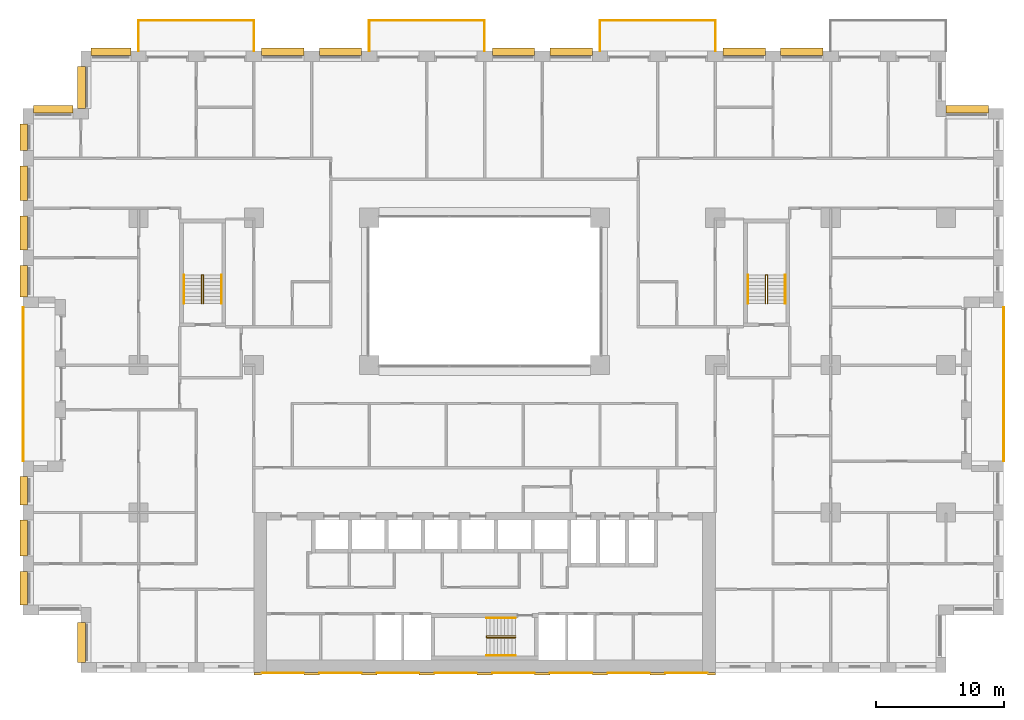
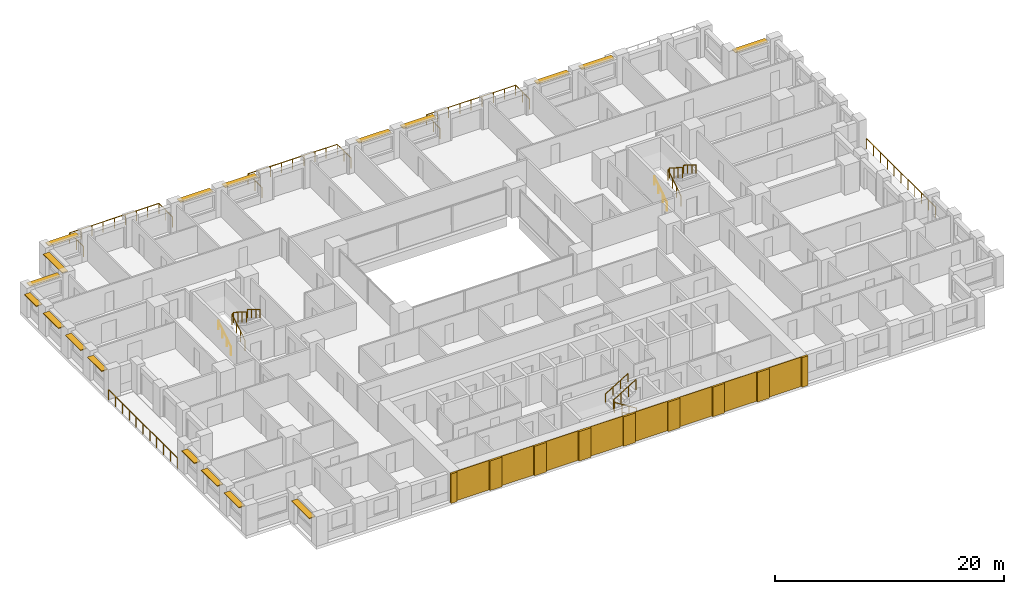
# One storey, part 18 of 19: 18 shading devices, 17 coverings, 14 railings.
"""IFC4 building model written with IfcOpenShell, lengths in metres."""

from ifc_helpers import new_model, si_unit, direction, frame, origin, origin_2d, place, context, subcontext, project, spatial, rectangle, circle, extrude, material, layer, layer_set, type_object, element, save


model = new_model("IFC4")

# Units and contexts
model_context = context("Model", 3, precision=1e-05, world=origin(), true_north=direction((0.0, 1.0)))
body_context = subcontext(model_context, "Body", "Model", "MODEL_VIEW")
ifc_project = project(units=[si_unit("LENGTHUNIT", "METRE"), si_unit("AREAUNIT", "SQUARE_METRE"), si_unit("VOLUMEUNIT", "CUBIC_METRE"), si_unit("PLANEANGLEUNIT", "RADIAN"), si_unit("MASSUNIT", "GRAM", prefix="KILO")], contexts=[model_context])

# Site, building, storey
site_placement = place(None, origin())
site = spatial("IfcSite", under=ifc_project, at=site_placement, CompositionType="ELEMENT")
building_placement = place(site_placement, origin())
building = spatial("IfcBuilding", under=site, at=building_placement, Name="Brigalow Station Residences", CompositionType="ELEMENT")
storey_placement = place(building_placement, frame((0.0, 0.0, 25.800048828125)))
storey = spatial("IfcBuildingStorey", under=building, at=storey_placement, Name="L06", CompositionType="ELEMENT", Elevation=25.800048828125)

# Railings
ifc_material_1 = material(Name="Stainless steel balustrade with laminated glass infill", Category="steel")
railing_type_1 = type_object("IfcRailingType", Name="BALCONY GUARD 1100", PredefinedType="GUARDRAIL", material=ifc_material_1)
railing_1_placement = place(storey_placement, frame((76.5, 16.5, -0.0400390625)))
element("IfcRailing", 1, at=railing_1_placement, inside=storey, type_object=railing_type_1, Name="L06/balcony-guard/1", PredefinedType="GUARDRAIL", context=body_context, shape_type="SweptSolid", body=[
    extrude(circle(Radius=0.02392578125, at=origin_2d()), frame((0.0, 0.0, 1.076171875), z_axis=(0.0, 1.0, 0.0), x_axis=(-1.0, 0.0, 0.0)), (0.0, 0.0, 1.0), 12.0),
    extrude(circle(Radius=0.02099609375, at=origin_2d()), origin(), (0.0, 0.0, 1.0), 1.052001953125),
    extrude(circle(Radius=0.02099609375, at=origin_2d()), frame((0.0, 1.199951171875, 0.0)), (0.0, 0.0, 1.0), 1.052001953125),
    extrude(circle(Radius=0.02099609375, at=origin_2d()), frame((0.0, 2.39990234375, 0.0)), (0.0, 0.0, 1.0), 1.052001953125),
    extrude(circle(Radius=0.02099609375, at=origin_2d()), frame((0.0, 3.60009765625, 0.0)), (0.0, 0.0, 1.0), 1.052001953125),
    extrude(circle(Radius=0.02099609375, at=origin_2d()), frame((0.0, 4.800048828125, 0.0)), (0.0, 0.0, 1.0), 1.052001953125),
    extrude(circle(Radius=0.02099609375, at=origin_2d()), frame((0.0, 6.0, 0.0)), (0.0, 0.0, 1.0), 1.052001953125),
    extrude(circle(Radius=0.02099609375, at=origin_2d()), frame((0.0, 7.199951171875, 0.0)), (0.0, 0.0, 1.0), 1.052001953125),
    extrude(circle(Radius=0.02099609375, at=origin_2d()), frame((0.0, 8.39990234375, 0.0)), (0.0, 0.0, 1.0), 1.052001953125),
    extrude(circle(Radius=0.02099609375, at=origin_2d()), frame((0.0, 9.60009765625, 0.0)), (0.0, 0.0, 1.0), 1.052001953125),
    extrude(circle(Radius=0.02099609375, at=origin_2d()), frame((0.0, 10.800048828125, 0.0)), (0.0, 0.0, 1.0), 1.052001953125),
    extrude(circle(Radius=0.02099609375, at=origin_2d()), frame((0.0, 12.0, 0.0)), (0.0, 0.0, 1.0), 1.052001953125),
])
railing_2_placement = place(storey_placement, frame((54.0, 48.5, -0.0400390625)))
element("IfcRailing", 2, at=railing_2_placement, inside=storey, type_object=railing_type_1, Name="L06/balcony-guard/3", PredefinedType="GUARDRAIL", context=body_context, shape_type="SweptSolid", body=[
    extrude(circle(Radius=0.02392578125, at=origin_2d()), frame((0.0, 0.0, 1.076171875), z_axis=(0.0, 1.0, 0.0), x_axis=(-1.0, 0.0, 0.0)), (0.0, 0.0, 1.0), 2.39990234375),
    extrude(circle(Radius=0.02392578125, at=origin_2d()), frame((0.0, 2.39990234375, 1.076171875), z_axis=(-1.0, 0.0, 0.0), x_axis=(0.0, -1.0, 0.0)), (0.0, 0.0, 1.0), 9.0),
    extrude(circle(Radius=0.02392578125, at=origin_2d()), frame((-9.0, 2.39990234375, 1.076171875), z_axis=(0.0, -1.0, 0.0), x_axis=(1.0, 0.0, 0.0)), (0.0, 0.0, 1.0), 2.39990234375),
    extrude(circle(Radius=0.02099609375, at=origin_2d()), origin(), (0.0, 0.0, 1.0), 1.052001953125),
    extrude(circle(Radius=0.02099609375, at=origin_2d()), frame((0.0, 1.199951171875, 0.0)), (0.0, 0.0, 1.0), 1.052001953125),
    extrude(circle(Radius=0.02099609375, at=origin_2d()), frame((0.0, 2.39990234375, 0.0)), (0.0, 0.0, 1.0), 1.052001953125),
    extrude(circle(Radius=0.02099609375, at=origin_2d()), frame((-1.125, 2.39990234375, 0.0)), (0.0, 0.0, 1.0), 1.052001953125),
    extrude(circle(Radius=0.02099609375, at=origin_2d()), frame((-2.25, 2.39990234375, 0.0)), (0.0, 0.0, 1.0), 1.052001953125),
    extrude(circle(Radius=0.02099609375, at=origin_2d()), frame((-3.375, 2.39990234375, 0.0)), (0.0, 0.0, 1.0), 1.052001953125),
    extrude(circle(Radius=0.02099609375, at=origin_2d()), frame((-4.5, 2.39990234375, 0.0)), (0.0, 0.0, 1.0), 1.052001953125),
    extrude(circle(Radius=0.02099609375, at=origin_2d()), frame((-5.625, 2.39990234375, 0.0)), (0.0, 0.0, 1.0), 1.052001953125),
    extrude(circle(Radius=0.02099609375, at=origin_2d()), frame((-6.75, 2.39990234375, 0.0)), (0.0, 0.0, 1.0), 1.052001953125),
    extrude(circle(Radius=0.02099609375, at=origin_2d()), frame((-7.875, 2.39990234375, 0.0)), (0.0, 0.0, 1.0), 1.052001953125),
    extrude(circle(Radius=0.02099609375, at=origin_2d()), frame((-9.0, 2.39990234375, 0.0)), (0.0, 0.0, 1.0), 1.052001953125),
    extrude(circle(Radius=0.02099609375, at=origin_2d()), frame((-9.0, 1.199951171875, 0.0)), (0.0, 0.0, 1.0), 1.052001953125),
    extrude(circle(Radius=0.02099609375, at=origin_2d()), frame((-9.0, 0.0, 0.0)), (0.0, 0.0, 1.0), 1.052001953125),
])
railing_3_placement = place(storey_placement, frame((36.0, 48.5, -0.0400390625)))
element("IfcRailing", 3, at=railing_3_placement, inside=storey, type_object=railing_type_1, Name="L06/balcony-guard/4", PredefinedType="GUARDRAIL", context=body_context, shape_type="SweptSolid", body=[
    extrude(circle(Radius=0.02392578125, at=origin_2d()), frame((0.0, 0.0, 1.076171875), z_axis=(0.0, 1.0, 0.0), x_axis=(-1.0, 0.0, 0.0)), (0.0, 0.0, 1.0), 2.39990234375),
    extrude(circle(Radius=0.02392578125, at=origin_2d()), frame((0.0, 2.39990234375, 1.076171875), z_axis=(-1.0, 0.0, 0.0), x_axis=(0.0, -1.0, 0.0)), (0.0, 0.0, 1.0), 9.0),
    extrude(circle(Radius=0.02392578125, at=origin_2d()), frame((-9.0, 2.39990234375, 1.076171875), z_axis=(0.0, -1.0, 0.0), x_axis=(1.0, 0.0, 0.0)), (0.0, 0.0, 1.0), 2.39990234375),
    extrude(circle(Radius=0.02099609375, at=origin_2d()), origin(), (0.0, 0.0, 1.0), 1.052001953125),
    extrude(circle(Radius=0.02099609375, at=origin_2d()), frame((0.0, 1.199951171875, 0.0)), (0.0, 0.0, 1.0), 1.052001953125),
    extrude(circle(Radius=0.02099609375, at=origin_2d()), frame((0.0, 2.39990234375, 0.0)), (0.0, 0.0, 1.0), 1.052001953125),
    extrude(circle(Radius=0.02099609375, at=origin_2d()), frame((-1.125, 2.39990234375, 0.0)), (0.0, 0.0, 1.0), 1.052001953125),
    extrude(circle(Radius=0.02099609375, at=origin_2d()), frame((-2.25, 2.39990234375, 0.0)), (0.0, 0.0, 1.0), 1.052001953125),
    extrude(circle(Radius=0.02099609375, at=origin_2d()), frame((-3.375, 2.39990234375, 0.0)), (0.0, 0.0, 1.0), 1.052001953125),
    extrude(circle(Radius=0.02099609375, at=origin_2d()), frame((-4.5, 2.39990234375, 0.0)), (0.0, 0.0, 1.0), 1.052001953125),
    extrude(circle(Radius=0.02099609375, at=origin_2d()), frame((-5.625, 2.39990234375, 0.0)), (0.0, 0.0, 1.0), 1.052001953125),
    extrude(circle(Radius=0.02099609375, at=origin_2d()), frame((-6.75, 2.39990234375, 0.0)), (0.0, 0.0, 1.0), 1.052001953125),
    extrude(circle(Radius=0.02099609375, at=origin_2d()), frame((-7.875, 2.39990234375, 0.0)), (0.0, 0.0, 1.0), 1.052001953125),
    extrude(circle(Radius=0.02099609375, at=origin_2d()), frame((-9.0, 2.39990234375, 0.0)), (0.0, 0.0, 1.0), 1.052001953125),
    extrude(circle(Radius=0.02099609375, at=origin_2d()), frame((-9.0, 1.199951171875, 0.0)), (0.0, 0.0, 1.0), 1.052001953125),
    extrude(circle(Radius=0.02099609375, at=origin_2d()), frame((-9.0, 0.0, 0.0)), (0.0, 0.0, 1.0), 1.052001953125),
])
railing_4_placement = place(storey_placement, frame((18.0, 48.5, -0.0400390625)))
element("IfcRailing", 4, at=railing_4_placement, inside=storey, type_object=railing_type_1, Name="L06/balcony-guard/5", PredefinedType="GUARDRAIL", context=body_context, shape_type="SweptSolid", body=[
    extrude(circle(Radius=0.02392578125, at=origin_2d()), frame((0.0, 0.0, 1.076171875), z_axis=(0.0, 1.0, 0.0), x_axis=(-1.0, 0.0, 0.0)), (0.0, 0.0, 1.0), 2.39990234375),
    extrude(circle(Radius=0.02392578125, at=origin_2d()), frame((0.0, 2.39990234375, 1.076171875), z_axis=(-1.0, 0.0, 0.0), x_axis=(0.0, -1.0, 0.0)), (0.0, 0.0, 1.0), 9.0),
    extrude(circle(Radius=0.02392578125, at=origin_2d()), frame((-9.0, 2.39990234375, 1.076171875), z_axis=(0.0, -1.0, 0.0), x_axis=(1.0, 0.0, 0.0)), (0.0, 0.0, 1.0), 2.39990234375),
    extrude(circle(Radius=0.02099609375, at=origin_2d()), origin(), (0.0, 0.0, 1.0), 1.052001953125),
    extrude(circle(Radius=0.02099609375, at=origin_2d()), frame((0.0, 1.199951171875, 0.0)), (0.0, 0.0, 1.0), 1.052001953125),
    extrude(circle(Radius=0.02099609375, at=origin_2d()), frame((0.0, 2.39990234375, 0.0)), (0.0, 0.0, 1.0), 1.052001953125),
    extrude(circle(Radius=0.02099609375, at=origin_2d()), frame((-1.125, 2.39990234375, 0.0)), (0.0, 0.0, 1.0), 1.052001953125),
    extrude(circle(Radius=0.02099609375, at=origin_2d()), frame((-2.25, 2.39990234375, 0.0)), (0.0, 0.0, 1.0), 1.052001953125),
    extrude(circle(Radius=0.02099609375, at=origin_2d()), frame((-3.375, 2.39990234375, 0.0)), (0.0, 0.0, 1.0), 1.052001953125),
    extrude(circle(Radius=0.02099609375, at=origin_2d()), frame((-4.5, 2.39990234375, 0.0)), (0.0, 0.0, 1.0), 1.052001953125),
    extrude(circle(Radius=0.02099609375, at=origin_2d()), frame((-5.625, 2.39990234375, 0.0)), (0.0, 0.0, 1.0), 1.052001953125),
    extrude(circle(Radius=0.02099609375, at=origin_2d()), frame((-6.75, 2.39990234375, 0.0)), (0.0, 0.0, 1.0), 1.052001953125),
    extrude(circle(Radius=0.02099609375, at=origin_2d()), frame((-7.875, 2.39990234375, 0.0)), (0.0, 0.0, 1.0), 1.052001953125),
    extrude(circle(Radius=0.02099609375, at=origin_2d()), frame((-9.0, 2.39990234375, 0.0)), (0.0, 0.0, 1.0), 1.052001953125),
    extrude(circle(Radius=0.02099609375, at=origin_2d()), frame((-9.0, 1.199951171875, 0.0)), (0.0, 0.0, 1.0), 1.052001953125),
    extrude(circle(Radius=0.02099609375, at=origin_2d()), frame((-9.0, 0.0, 0.0)), (0.0, 0.0, 1.0), 1.052001953125),
])
railing_5_placement = place(storey_placement, frame((0.0, 28.5, -0.0400390625)))
element("IfcRailing", 5, at=railing_5_placement, inside=storey, type_object=railing_type_1, Name="L06/balcony-guard/6", PredefinedType="GUARDRAIL", context=body_context, shape_type="SweptSolid", body=[
    extrude(circle(Radius=0.02392578125, at=origin_2d()), frame((0.0, 0.0, 1.076171875), z_axis=(0.0, -1.0, 0.0), x_axis=(1.0, 0.0, 0.0)), (0.0, 0.0, 1.0), 12.0),
    extrude(circle(Radius=0.02099609375, at=origin_2d()), origin(), (0.0, 0.0, 1.0), 1.052001953125),
    extrude(circle(Radius=0.02099609375, at=origin_2d()), frame((0.0, -1.199951171875, 0.0)), (0.0, 0.0, 1.0), 1.052001953125),
    extrude(circle(Radius=0.02099609375, at=origin_2d()), frame((0.0, -2.39990234375, 0.0)), (0.0, 0.0, 1.0), 1.052001953125),
    extrude(circle(Radius=0.02099609375, at=origin_2d()), frame((0.0, -3.60009765625, 0.0)), (0.0, 0.0, 1.0), 1.052001953125),
    extrude(circle(Radius=0.02099609375, at=origin_2d()), frame((0.0, -4.800048828125, 0.0)), (0.0, 0.0, 1.0), 1.052001953125),
    extrude(circle(Radius=0.02099609375, at=origin_2d()), frame((0.0, -6.0, 0.0)), (0.0, 0.0, 1.0), 1.052001953125),
    extrude(circle(Radius=0.02099609375, at=origin_2d()), frame((0.0, -7.199951171875, 0.0)), (0.0, 0.0, 1.0), 1.052001953125),
    extrude(circle(Radius=0.02099609375, at=origin_2d()), frame((0.0, -8.39990234375, 0.0)), (0.0, 0.0, 1.0), 1.052001953125),
    extrude(circle(Radius=0.02099609375, at=origin_2d()), frame((0.0, -9.60009765625, 0.0)), (0.0, 0.0, 1.0), 1.052001953125),
    extrude(circle(Radius=0.02099609375, at=origin_2d()), frame((0.0, -10.800048828125, 0.0)), (0.0, 0.0, 1.0), 1.052001953125),
    extrude(circle(Radius=0.02099609375, at=origin_2d()), frame((0.0, -12.0, 0.0)), (0.0, 0.0, 1.0), 1.052001953125),
])

# Coverings
ifc_material_2 = material(Name="Clay brick masonry", Category="masonry")
ifc_layer_1 = layer(ifc_material_2, 0.06005859375)
ifc_layer_set_1 = layer_set([ifc_layer_1], Name="BRICK PANEL FACING 60")
covering_type_1 = type_object("IfcCoveringType", Name="BRICK PANEL FACING 60", PredefinedType="CLADDING", material=ifc_layer_set_1)
for number, where, z_axis, x_axis, name in (
    (6, (20.25, -0.030029296875, 0.0), (0.0, 0.0, 1.0), (1.0, 0.0, 0.0), "L06/rear-facing/panel-1"),
    (7, (24.75, -0.030029296875, 0.0), (0.0, 0.0, 1.0), (1.0, 0.0, 0.0), "L06/rear-facing/panel-2"),
    (8, (29.25, -0.030029296875, 0.0), (0.0, 0.0, 1.0), (1.0, 0.0, 0.0), "L06/rear-facing/panel-3"),
    (9, (33.75, -0.030029296875, 0.0), (0.0, 0.0, 1.0), (1.0, 0.0, 0.0), "L06/rear-facing/panel-4"),
    (10, (38.25, -0.030029296875, 0.0), (0.0, 0.0, 1.0), (1.0, 0.0, 0.0), "L06/rear-facing/panel-5"),
    (11, (42.75, -0.030029296875, 0.0), (0.0, 0.0, 1.0), (1.0, 0.0, 0.0), "L06/rear-facing/panel-6"),
    (12, (47.25, -0.030029296875, 0.0), (0.0, 0.0, 1.0), (1.0, 0.0, 0.0), "L06/rear-facing/panel-7"),
    (13, (51.75, -0.030029296875, 0.0), (0.0, 0.0, 1.0), (1.0, 0.0, 0.0), "L06/rear-facing/panel-8"),
):
    element("IfcCovering", number, at=place(storey_placement, frame(where, z_axis=z_axis, x_axis=x_axis)), inside=storey, type_object=covering_type_1, Name=name, PredefinedType="CLADDING", context=body_context, shape_type="SweptSolid", body=[
        extrude(rectangle(XDim=3.300048828125, YDim=0.06005859375, at=origin_2d()), origin(), (0.0, 0.0, 1.0), 3.14990234375),
    ])
ifc_material_3 = material(Name="Clay brick masonry", Category="masonry")
ifc_layer_2 = layer(ifc_material_3, 0.199951171875)
ifc_layer_set_2 = layer_set([ifc_layer_2], Name="BRICK PIER FACING 200")
covering_type_2 = type_object("IfcCoveringType", Name="BRICK PIER FACING 200", PredefinedType="CLADDING", material=ifc_layer_set_2)
covering_1_placement = place(storey_placement, frame((18.300048828125, -0.10009765625, 0.0), z_axis=(0.0, 0.0, 1.0), x_axis=(1.0, 0.0, 0.0)))
element("IfcCovering", 14, at=covering_1_placement, inside=storey, type_object=covering_type_2, Name="L06/rear-facing/pier-1", PredefinedType="CLADDING", context=body_context, shape_type="SweptSolid", body=[
    extrude(rectangle(XDim=0.60009765625, YDim=0.199951171875, at=origin_2d()), origin(), (0.0, 0.0, 1.0), 3.14990234375),
])
for number, where, z_axis, x_axis, name in (
    (15, (22.5, -0.10009765625, 0.0), (0.0, 0.0, 1.0), (1.0, 0.0, 0.0), "L06/rear-facing/pier-2"),
    (16, (27.0, -0.10009765625, 0.0), (0.0, 0.0, 1.0), (1.0, 0.0, 0.0), "L06/rear-facing/pier-3"),
    (17, (31.5, -0.10009765625, 0.0), (0.0, 0.0, 1.0), (1.0, 0.0, 0.0), "L06/rear-facing/pier-4"),
    (18, (36.0, -0.10009765625, 0.0), (0.0, 0.0, 1.0), (1.0, 0.0, 0.0), "L06/rear-facing/pier-5"),
    (19, (40.5, -0.10009765625, 0.0), (0.0, 0.0, 1.0), (1.0, 0.0, 0.0), "L06/rear-facing/pier-6"),
    (20, (45.0, -0.10009765625, 0.0), (0.0, 0.0, 1.0), (1.0, 0.0, 0.0), "L06/rear-facing/pier-7"),
    (21, (49.5, -0.10009765625, 0.0), (0.0, 0.0, 1.0), (1.0, 0.0, 0.0), "L06/rear-facing/pier-8"),
):
    element("IfcCovering", number, at=place(storey_placement, frame(where, z_axis=z_axis, x_axis=x_axis)), inside=storey, type_object=covering_type_2, Name=name, PredefinedType="CLADDING", context=body_context, shape_type="SweptSolid", body=[
        extrude(rectangle(XDim=1.199951171875, YDim=0.199951171875, at=origin_2d()), origin(), (0.0, 0.0, 1.0), 3.14990234375),
    ])
covering_2_placement = place(storey_placement, frame((53.699951171875, -0.10009765625, 0.0), z_axis=(0.0, 0.0, 1.0), x_axis=(1.0, 0.0, 0.0)))
element("IfcCovering", 22, at=covering_2_placement, inside=storey, type_object=covering_type_2, Name="L06/rear-facing/pier-9", PredefinedType="CLADDING", context=body_context, shape_type="SweptSolid", body=[
    extrude(rectangle(XDim=0.60009765625, YDim=0.199951171875, at=origin_2d()), origin(), (0.0, 0.0, 1.0), 3.14990234375),
])

# Railings
ifc_material_4 = material(Name="Stainless steel balustrade", Category="steel")
railing_type_2 = type_object("IfcRailingType", Name="STAIR GUARD 1100", PredefinedType="GUARDRAIL", material=ifc_material_4)
railing_6_placement = place(storey_placement, frame((38.39990234375, 2.72998046875, 0.175048828125)))
element("IfcRailing", 23, at=railing_6_placement, inside=storey, type_object=railing_type_2, Name="GUARD GR-2", PredefinedType="GUARDRAIL", context=body_context, shape_type="SweptSolid", body=[
    extrude(circle(Radius=0.02392578125, at=origin_2d()), frame((0.0, 0.0, 1.076171875), z_axis=(-0.848013881152, 0.0, 0.529974015752), x_axis=(0.0, -1.0, 0.0)), (0.0, 0.0, 1.0), 2.641357421875),
    extrude(circle(Radius=0.02392578125, at=origin_2d()), frame((-2.239990234375, 0.0, 2.47607421875), z_axis=(0.0, 0.624960567888, 0.780656319122), x_axis=(-1.0, 0.0, 0.0)), (0.0, 0.0, 1.0), 0.22412109375),
    extrude(circle(Radius=0.02392578125, at=origin_2d()), frame((-2.239990234375, 0.14013671875, 2.65087890625), z_axis=(0.848013881152, 0.0, 0.529974015752), x_axis=(0.0, 1.0, 0.0)), (0.0, 0.0, 1.0), 2.641357421875),
    extrude(circle(Radius=0.02099609375, at=origin_2d()), origin(), (0.0, 0.0, 1.0), 1.052001953125),
    extrude(circle(Radius=0.02099609375, at=origin_2d()), frame((-0.74658203125, 0.0, 0.466552734375)), (0.0, 0.0, 1.0), 1.052001953125),
    extrude(circle(Radius=0.02099609375, at=origin_2d()), frame((-1.493408203125, 0.0, 0.933349609375)), (0.0, 0.0, 1.0), 1.052001953125),
    extrude(circle(Radius=0.02099609375, at=origin_2d()), frame((-2.239990234375, 0.0, 1.39990234375)), (0.0, 0.0, 1.0), 1.052001953125),
    extrude(circle(Radius=0.02099609375, at=origin_2d()), frame((-2.239990234375, 0.14013671875, 1.574951171875)), (0.0, 0.0, 1.0), 1.052001953125),
    extrude(circle(Radius=0.02099609375, at=origin_2d()), frame((-1.493408203125, 0.14013671875, 2.04150390625)), (0.0, 0.0, 1.0), 1.052001953125),
    extrude(circle(Radius=0.02099609375, at=origin_2d()), frame((-0.74658203125, 0.14013671875, 2.50830078125)), (0.0, 0.0, 1.0), 1.052001953125),
    extrude(circle(Radius=0.02099609375, at=origin_2d()), frame((0.0, 0.14013671875, 2.974853515625)), (0.0, 0.0, 1.0), 1.052001953125),
])
for number, where, name in (
    (24, (13.929931640625, 28.800048828125, 0.175048828125), "GUARD GR-1"),
    (25, (57.929931640625, 28.800048828125, 0.175048828125), "GUARD GR-3"),
):
    element("IfcRailing", number, at=place(storey_placement, frame(where)), inside=storey, type_object=railing_type_2, Name=name, PredefinedType="GUARDRAIL", context=body_context, shape_type="SweptSolid", body=[
        extrude(circle(Radius=0.02392578125, at=origin_2d()), frame((0.0, 0.0, 1.076171875), z_axis=(0.0, 0.848013881152, 0.529974015752), x_axis=(-1.0, 0.0, 0.0)), (0.0, 0.0, 1.0), 2.641357421875),
        extrude(circle(Radius=0.02392578125, at=origin_2d()), frame((0.0, 2.239990234375, 2.47607421875), z_axis=(0.624960567888, 0.0, 0.780656319122), x_axis=(0.0, 1.0, 0.0)), (0.0, 0.0, 1.0), 0.22412109375),
        extrude(circle(Radius=0.02392578125, at=origin_2d()), frame((0.14013671875, 2.239990234375, 2.65087890625), z_axis=(0.0, -0.848013881152, 0.529974015752), x_axis=(1.0, 0.0, 0.0)), (0.0, 0.0, 1.0), 2.641357421875),
        extrude(circle(Radius=0.02099609375, at=origin_2d()), origin(), (0.0, 0.0, 1.0), 1.052001953125),
        extrude(circle(Radius=0.02099609375, at=origin_2d()), frame((0.0, 0.74658203125, 0.466552734375)), (0.0, 0.0, 1.0), 1.052001953125),
        extrude(circle(Radius=0.02099609375, at=origin_2d()), frame((0.0, 1.493408203125, 0.933349609375)), (0.0, 0.0, 1.0), 1.052001953125),
        extrude(circle(Radius=0.02099609375, at=origin_2d()), frame((0.0, 2.239990234375, 1.39990234375)), (0.0, 0.0, 1.0), 1.052001953125),
        extrude(circle(Radius=0.02099609375, at=origin_2d()), frame((0.14013671875, 2.239990234375, 1.574951171875)), (0.0, 0.0, 1.0), 1.052001953125),
        extrude(circle(Radius=0.02099609375, at=origin_2d()), frame((0.14013671875, 1.493408203125, 2.04150390625)), (0.0, 0.0, 1.0), 1.052001953125),
        extrude(circle(Radius=0.02099609375, at=origin_2d()), frame((0.14013671875, 0.74658203125, 2.50830078125)), (0.0, 0.0, 1.0), 1.052001953125),
        extrude(circle(Radius=0.02099609375, at=origin_2d()), frame((0.14013671875, 0.0, 2.974853515625)), (0.0, 0.0, 1.0), 1.052001953125),
    ])
ifc_material_5 = material(Name="Stainless steel handrail", Category="steel")
railing_type_3 = type_object("IfcRailingType", Name="STAIR HANDRAIL 900", PredefinedType="HANDRAIL", material=ifc_material_5)
railing_7_placement = place(storey_placement, frame((38.39990234375, 1.340087890625, 0.175048828125)))
element("IfcRailing", 26, at=railing_7_placement, inside=storey, type_object=railing_type_3, Name="HANDRAIL HR-21", PredefinedType="HANDRAIL", context=body_context, shape_type="SweptSolid", body=[
    extrude(circle(Radius=0.02392578125, at=origin_2d()), frame((0.0, 0.0, 0.8759765625), z_axis=(-0.848013881152, 0.0, 0.529974015752), x_axis=(0.0, -1.0, 0.0)), (0.0, 0.0, 1.0), 2.641357421875),
    extrude(circle(Radius=0.02099609375, at=origin_2d()), origin(), (0.0, 0.0, 1.0), 0.851806640625),
    extrude(circle(Radius=0.02099609375, at=origin_2d()), frame((-0.74658203125, 0.0, 0.466552734375)), (0.0, 0.0, 1.0), 0.851806640625),
    extrude(circle(Radius=0.02099609375, at=origin_2d()), frame((-1.493408203125, 0.0, 0.933349609375)), (0.0, 0.0, 1.0), 0.851806640625),
    extrude(circle(Radius=0.02099609375, at=origin_2d()), frame((-2.239990234375, 0.0, 1.39990234375)), (0.0, 0.0, 1.0), 0.851806640625),
])
railing_8_placement = place(storey_placement, frame((36.159912109375, 4.260009765625, 1.75)))
element("IfcRailing", 27, at=railing_8_placement, inside=storey, type_object=railing_type_3, Name="HANDRAIL HR-22", PredefinedType="HANDRAIL", context=body_context, shape_type="SweptSolid", body=[
    extrude(circle(Radius=0.02392578125, at=origin_2d()), frame((0.0, 0.0, 0.8759765625), z_axis=(0.848013881152, 0.0, 0.529974015752), x_axis=(0.0, 1.0, 0.0)), (0.0, 0.0, 1.0), 2.641357421875),
    extrude(circle(Radius=0.02099609375, at=origin_2d()), origin(), (0.0, 0.0, 1.0), 0.851806640625),
    extrude(circle(Radius=0.02099609375, at=origin_2d()), frame((0.74658203125, 0.0, 0.466552734375)), (0.0, 0.0, 1.0), 0.851806640625),
    extrude(circle(Radius=0.02099609375, at=origin_2d()), frame((1.493408203125, 0.0, 0.933349609375)), (0.0, 0.0, 1.0), 0.851806640625),
    extrude(circle(Radius=0.02099609375, at=origin_2d()), frame((2.239990234375, 0.0, 1.39990234375)), (0.0, 0.0, 1.0), 0.851806640625),
])
railing_9_placement = place(storey_placement, frame((12.5400390625, 28.800048828125, 0.175048828125)))
element("IfcRailing", 28, at=railing_9_placement, inside=storey, type_object=railing_type_3, Name="HANDRAIL HR-11", PredefinedType="HANDRAIL", context=body_context, shape_type="SweptSolid", body=[
    extrude(circle(Radius=0.02392578125, at=origin_2d()), frame((0.0, 0.0, 0.8759765625), z_axis=(0.0, 0.848013881152, 0.529974015752), x_axis=(-1.0, 0.0, 0.0)), (0.0, 0.0, 1.0), 2.641357421875),
    extrude(circle(Radius=0.02099609375, at=origin_2d()), origin(), (0.0, 0.0, 1.0), 0.851806640625),
    extrude(circle(Radius=0.02099609375, at=origin_2d()), frame((0.0, 0.74658203125, 0.466552734375)), (0.0, 0.0, 1.0), 0.851806640625),
    extrude(circle(Radius=0.02099609375, at=origin_2d()), frame((0.0, 1.493408203125, 0.933349609375)), (0.0, 0.0, 1.0), 0.851806640625),
    extrude(circle(Radius=0.02099609375, at=origin_2d()), frame((0.0, 2.239990234375, 1.39990234375)), (0.0, 0.0, 1.0), 0.851806640625),
])
railing_10_placement = place(storey_placement, frame((15.4599609375, 31.0400390625, 1.75)))
element("IfcRailing", 29, at=railing_10_placement, inside=storey, type_object=railing_type_3, Name="HANDRAIL HR-12", PredefinedType="HANDRAIL", context=body_context, shape_type="SweptSolid", body=[
    extrude(circle(Radius=0.02392578125, at=origin_2d()), frame((0.0, 0.0, 0.8759765625), z_axis=(0.0, -0.848013881152, 0.529974015752), x_axis=(1.0, 0.0, 0.0)), (0.0, 0.0, 1.0), 2.641357421875),
    extrude(circle(Radius=0.02099609375, at=origin_2d()), origin(), (0.0, 0.0, 1.0), 0.851806640625),
    extrude(circle(Radius=0.02099609375, at=origin_2d()), frame((0.0, -0.74658203125, 0.466552734375)), (0.0, 0.0, 1.0), 0.851806640625),
    extrude(circle(Radius=0.02099609375, at=origin_2d()), frame((0.0, -1.493408203125, 0.933349609375)), (0.0, 0.0, 1.0), 0.851806640625),
    extrude(circle(Radius=0.02099609375, at=origin_2d()), frame((0.0, -2.239990234375, 1.39990234375)), (0.0, 0.0, 1.0), 0.851806640625),
])
railing_11_placement = place(storey_placement, frame((56.5400390625, 28.800048828125, 0.175048828125)))
element("IfcRailing", 30, at=railing_11_placement, inside=storey, type_object=railing_type_3, Name="HANDRAIL HR-31", PredefinedType="HANDRAIL", context=body_context, shape_type="SweptSolid", body=[
    extrude(circle(Radius=0.02392578125, at=origin_2d()), frame((0.0, 0.0, 0.8759765625), z_axis=(0.0, 0.848013881152, 0.529974015752), x_axis=(-1.0, 0.0, 0.0)), (0.0, 0.0, 1.0), 2.641357421875),
    extrude(circle(Radius=0.02099609375, at=origin_2d()), origin(), (0.0, 0.0, 1.0), 0.851806640625),
    extrude(circle(Radius=0.02099609375, at=origin_2d()), frame((0.0, 0.74658203125, 0.466552734375)), (0.0, 0.0, 1.0), 0.851806640625),
    extrude(circle(Radius=0.02099609375, at=origin_2d()), frame((0.0, 1.493408203125, 0.933349609375)), (0.0, 0.0, 1.0), 0.851806640625),
    extrude(circle(Radius=0.02099609375, at=origin_2d()), frame((0.0, 2.239990234375, 1.39990234375)), (0.0, 0.0, 1.0), 0.851806640625),
])
railing_12_placement = place(storey_placement, frame((59.4599609375, 31.0400390625, 1.75)))
element("IfcRailing", 31, at=railing_12_placement, inside=storey, type_object=railing_type_3, Name="HANDRAIL HR-32", PredefinedType="HANDRAIL", context=body_context, shape_type="SweptSolid", body=[
    extrude(circle(Radius=0.02392578125, at=origin_2d()), frame((0.0, 0.0, 0.8759765625), z_axis=(0.0, -0.848013881152, 0.529974015752), x_axis=(1.0, 0.0, 0.0)), (0.0, 0.0, 1.0), 2.641357421875),
    extrude(circle(Radius=0.02099609375, at=origin_2d()), origin(), (0.0, 0.0, 1.0), 0.851806640625),
    extrude(circle(Radius=0.02099609375, at=origin_2d()), frame((0.0, -0.74658203125, 0.466552734375)), (0.0, 0.0, 1.0), 0.851806640625),
    extrude(circle(Radius=0.02099609375, at=origin_2d()), frame((0.0, -1.493408203125, 0.933349609375)), (0.0, 0.0, 1.0), 0.851806640625),
    extrude(circle(Radius=0.02099609375, at=origin_2d()), frame((0.0, -2.239990234375, 1.39990234375)), (0.0, 0.0, 1.0), 0.851806640625),
])

# Shading devices
ifc_material_6 = material(Name="Powder-coated extruded aluminium blade", Category="aluminium")
ifc_layer_3 = layer(ifc_material_6, 0.080078125)
ifc_layer_set_3 = layer_set([ifc_layer_3], Name="SUNSHADE BLADE 600x80")
shading_device_type = type_object("IfcShadingDeviceType", Name="SUNSHADE BLADE 600x80", PredefinedType="JALOUSIE", material=ifc_layer_set_3)
for number, where, z_axis, x_axis, name in (
    (32, (73.64990234375, 43.949951171875, 2.5498046875), (0.0, 0.0, 1.0), (-1.0, 0.0, 0.0), "L06/blade/W-L06-23"),
    (33, (60.75, 48.449951171875, 2.5498046875), (0.0, 0.0, 1.0), (-1.0, 0.0, 0.0), "L06/blade/W-L06-27"),
    (34, (56.25, 48.449951171875, 2.5498046875), (0.0, 0.0, 1.0), (-1.0, 0.0, 0.0), "L06/blade/W-L06-28"),
    (35, (42.75, 48.449951171875, 2.5498046875), (0.0, 0.0, 1.0), (-1.0, 0.0, 0.0), "L06/blade/W-L06-31"),
    (36, (38.25, 48.449951171875, 2.5498046875), (0.0, 0.0, 1.0), (-1.0, 0.0, 0.0), "L06/blade/W-L06-32"),
    (37, (24.75, 48.449951171875, 2.5498046875), (0.0, 0.0, 1.0), (-1.0, 0.0, 0.0), "L06/blade/W-L06-35"),
    (38, (20.25, 48.449951171875, 2.5498046875), (0.0, 0.0, 1.0), (-1.0, 0.0, 0.0), "L06/blade/W-L06-36"),
):
    element("IfcShadingDevice", number, at=place(storey_placement, frame(where, z_axis=z_axis, x_axis=x_axis)), inside=storey, type_object=shading_device_type, Name=name, PredefinedType="JALOUSIE", context=body_context, shape_type="SweptSolid", body=[
        extrude(rectangle(XDim=3.300048828125, YDim=0.60009765625, at=origin_2d()), origin(), (0.0, 0.0, 1.0), 0.080078125),
    ])
shading_device_1_placement = place(storey_placement, frame((6.85009765625, 48.449951171875, 2.5498046875), z_axis=(0.0, 0.0, 1.0), x_axis=(-1.0, 0.0, 0.0)))
element("IfcShadingDevice", 39, at=shading_device_1_placement, inside=storey, type_object=shading_device_type, Name="L06/blade/W-L06-39", PredefinedType="JALOUSIE", context=body_context, shape_type="SweptSolid", body=[
    extrude(rectangle(XDim=3.10009765625, YDim=0.60009765625, at=origin_2d()), origin(), (0.0, 0.0, 1.0), 0.080078125),
])
shading_device_2_placement = place(storey_placement, frame((4.550048828125, 45.64990234375, 2.5498046875), z_axis=(0.0, 0.0, 1.0), x_axis=(0.0, -1.0, 0.0)))
element("IfcShadingDevice", 40, at=shading_device_2_placement, inside=storey, type_object=shading_device_type, Name="L06/blade/W-L06-40", PredefinedType="JALOUSIE", context=body_context, shape_type="SweptSolid", body=[
    extrude(rectangle(XDim=3.300048828125, YDim=0.60009765625, at=origin_2d()), origin(), (0.0, 0.0, 1.0), 0.080078125),
])
shading_device_3_placement = place(storey_placement, frame((2.35009765625, 43.949951171875, 2.5498046875), z_axis=(0.0, 0.0, 1.0), x_axis=(-1.0, 0.0, 0.0)))
element("IfcShadingDevice", 41, at=shading_device_3_placement, inside=storey, type_object=shading_device_type, Name="L06/blade/W-L06-41", PredefinedType="JALOUSIE", context=body_context, shape_type="SweptSolid", body=[
    extrude(rectangle(XDim=3.10009765625, YDim=0.60009765625, at=origin_2d()), origin(), (0.0, 0.0, 1.0), 0.080078125),
])
shading_device_4_placement = place(storey_placement, frame((0.050048828125, 41.762451171875, 2.5498046875), z_axis=(0.0, 0.0, 1.0), x_axis=(0.0, -1.0, 0.0)))
element("IfcShadingDevice", 42, at=shading_device_4_placement, inside=storey, type_object=shading_device_type, Name="L06/blade/W-L06-42", PredefinedType="JALOUSIE", context=body_context, shape_type="SweptSolid", body=[
    extrude(rectangle(XDim=2.074951171875, YDim=0.60009765625, at=origin_2d()), origin(), (0.0, 0.0, 1.0), 0.080078125),
])
for number, where, z_axis, x_axis, name in (
    (43, (0.050048828125, 38.1875, 2.5498046875), (0.0, 0.0, 1.0), (0.0, -1.0, 0.0), "L06/blade/W-L06-43"),
    (44, (0.050048828125, 34.3125, 2.5498046875), (0.0, 0.0, 1.0), (0.0, -1.0, 0.0), "L06/blade/W-L06-44"),
):
    element("IfcShadingDevice", number, at=place(storey_placement, frame(where, z_axis=z_axis, x_axis=x_axis)), inside=storey, type_object=shading_device_type, Name=name, PredefinedType="JALOUSIE", context=body_context, shape_type="SweptSolid", body=[
        extrude(rectangle(XDim=2.675048828125, YDim=0.60009765625, at=origin_2d()), origin(), (0.0, 0.0, 1.0), 0.080078125),
    ])
shading_device_5_placement = place(storey_placement, frame((0.050048828125, 30.53759765625, 2.5498046875), z_axis=(0.0, 0.0, 1.0), x_axis=(0.0, -1.0, 0.0)))
element("IfcShadingDevice", 45, at=shading_device_5_placement, inside=storey, type_object=shading_device_type, Name="L06/blade/W-L06-45", PredefinedType="JALOUSIE", context=body_context, shape_type="SweptSolid", body=[
    extrude(rectangle(XDim=2.47509765625, YDim=0.60009765625, at=origin_2d()), origin(), (0.0, 0.0, 1.0), 0.080078125),
])
shading_device_6_placement = place(storey_placement, frame((0.050048828125, 14.199951171875, 2.5498046875), z_axis=(0.0, 0.0, 1.0), x_axis=(0.0, -1.0, 0.0)))
element("IfcShadingDevice", 46, at=shading_device_6_placement, inside=storey, type_object=shading_device_type, Name="L06/blade/W-L06-51", PredefinedType="JALOUSIE", context=body_context, shape_type="SweptSolid", body=[
    extrude(rectangle(XDim=2.199951171875, YDim=0.60009765625, at=origin_2d()), origin(), (0.0, 0.0, 1.0), 0.080078125),
])
shading_device_7_placement = place(storey_placement, frame((0.050048828125, 10.5, 2.5498046875), z_axis=(0.0, 0.0, 1.0), x_axis=(0.0, -1.0, 0.0)))
element("IfcShadingDevice", 47, at=shading_device_7_placement, inside=storey, type_object=shading_device_type, Name="L06/blade/W-L06-52", PredefinedType="JALOUSIE", context=body_context, shape_type="SweptSolid", body=[
    extrude(rectangle(XDim=2.800048828125, YDim=0.60009765625, at=origin_2d()), origin(), (0.0, 0.0, 1.0), 0.080078125),
])
shading_device_8_placement = place(storey_placement, frame((0.050048828125, 6.60009765625, 2.5498046875), z_axis=(0.0, 0.0, 1.0), x_axis=(0.0, -1.0, 0.0)))
element("IfcShadingDevice", 48, at=shading_device_8_placement, inside=storey, type_object=shading_device_type, Name="L06/blade/W-L06-53", PredefinedType="JALOUSIE", context=body_context, shape_type="SweptSolid", body=[
    extrude(rectangle(XDim=2.60009765625, YDim=0.60009765625, at=origin_2d()), origin(), (0.0, 0.0, 1.0), 0.080078125),
])
shading_device_9_placement = place(storey_placement, frame((4.550048828125, 2.35009765625, 2.5498046875), z_axis=(0.0, 0.0, 1.0), x_axis=(0.0, -1.0, 0.0)))
element("IfcShadingDevice", 49, at=shading_device_9_placement, inside=storey, type_object=shading_device_type, Name="L06/blade/W-L06-55", PredefinedType="JALOUSIE", context=body_context, shape_type="SweptSolid", body=[
    extrude(rectangle(XDim=3.10009765625, YDim=0.60009765625, at=origin_2d()), origin(), (0.0, 0.0, 1.0), 0.080078125),
])

save(model, "model.ifc")
